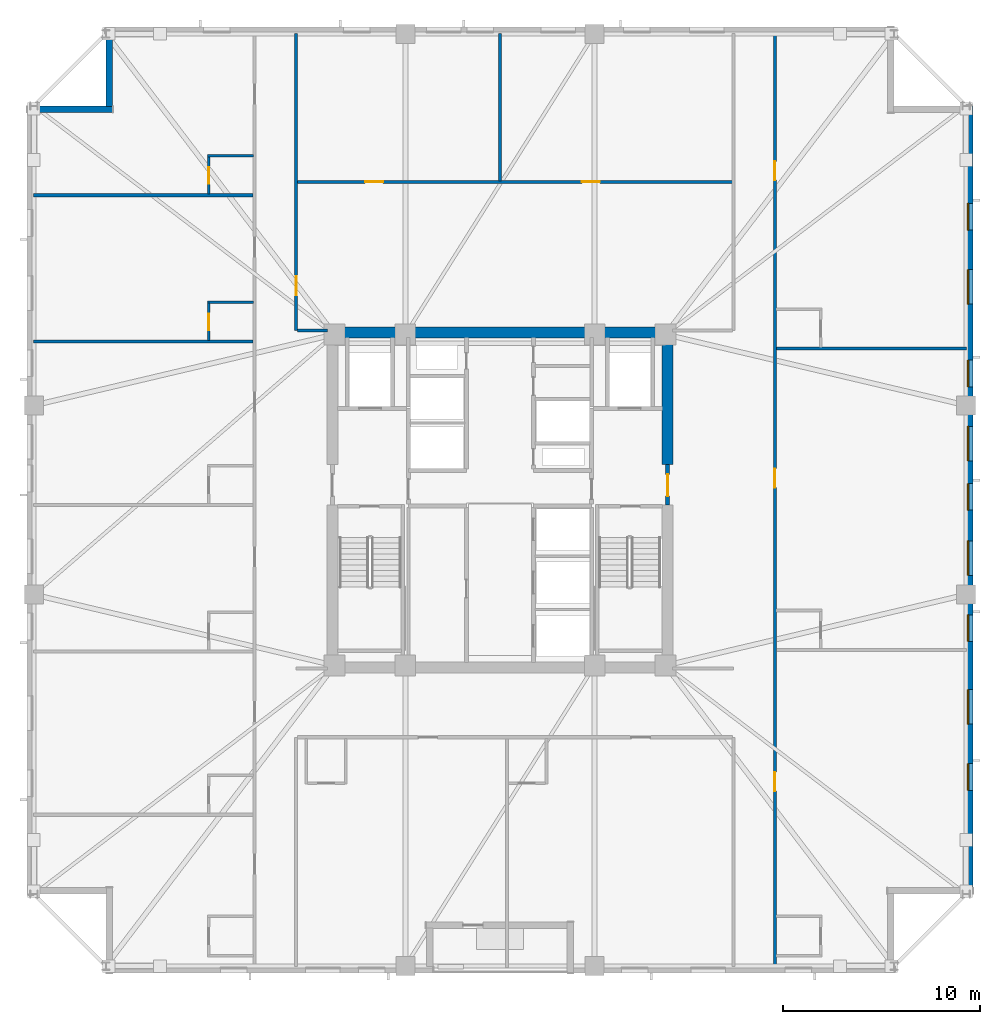
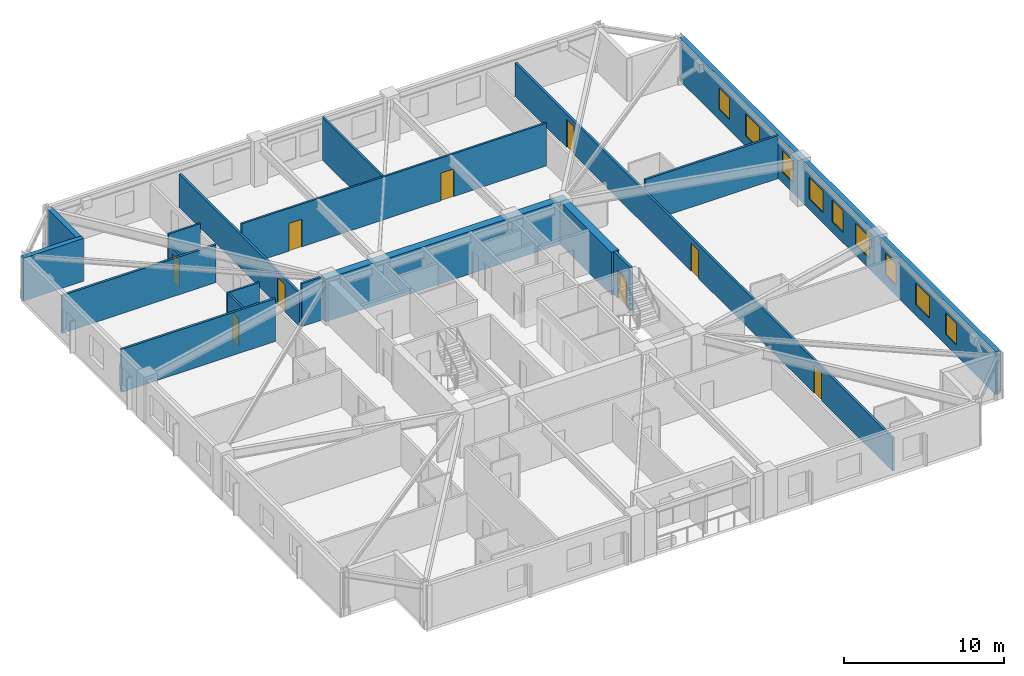
# One storey, part 5 of 11: 18 walls, 9 doors, 9 windows, 18 openings.
"""IFC4 building model written with IfcOpenShell, lengths in metres."""

from ifc_helpers import new_model, si_unit, direction, frame, frame_2d, origin, place, context, subcontext, project, spatial, rectangle, extrude, material, layer, layer_set, type_object, element, fill, save


model = new_model("IFC4")

# Units and contexts
model_context = context("Model", 3, precision=1e-05, world=origin(), true_north=direction((0.0, 1.0)))
body_context = subcontext(model_context, "Body", "Model", "MODEL_VIEW")
ifc_project = project(units=[si_unit("LENGTHUNIT", "METRE"), si_unit("AREAUNIT", "SQUARE_METRE"), si_unit("VOLUMEUNIT", "CUBIC_METRE"), si_unit("PLANEANGLEUNIT", "RADIAN"), si_unit("MASSUNIT", "GRAM", prefix="KILO")], contexts=[model_context])

# Site, building, storey
site_placement = place(None, origin())
site = spatial("IfcSite", under=ifc_project, at=site_placement, CompositionType="ELEMENT")
building_placement = place(site_placement, origin())
building = spatial("IfcBuilding", under=site, at=building_placement, Name="Cairnveth Concourse Tower", CompositionType="ELEMENT")
storey_placement = place(building_placement, frame((0.0, 0.0, 155.0)))
storey = spatial("IfcBuildingStorey", under=building, at=storey_placement, Name="L42", CompositionType="ELEMENT", Elevation=155.0)

# Wall, opening, door
ifc_material_1 = material(Name="Gypsum Plasterboard Partition", Category="gypsum")
ifc_layer_1 = layer(ifc_material_1, 0.159912109375)
ifc_layer_set_1 = layer_set([ifc_layer_1], Name="Gypsum Plasterboard Partition")
wall_type_1 = type_object("IfcWallType", Name="ACOUSTIC PARTY WALL 180", PredefinedType="PARTITIONING", material=ifc_layer_set_1)
wall_1_placement = place(storey_placement, frame((41.64990234375, 47.60009765625, 0.0), z_axis=(0.0, 0.0, 1.0), x_axis=(0.0, 1.0, 0.0)))
wall_1 = element("IfcWall", 1, at=wall_1_placement, inside=storey, type_object=wall_type_1, Name="Interior Wall IW-L42-038", PredefinedType="PARTITIONING", context=body_context, shape_type="SweptSolid", body=[
    extrude(rectangle(XDim=15.074951171875, YDim=0.159912109375, at=frame_2d((7.53759765625, 0.0))), origin(), (0.0, 0.0, 1.0), 2.554931640625),
])
opening_1_placement = place(wall_1_placement, frame((1.800048828125, 0.0, 0.0)))
opening_1 = element("IfcOpeningElement", 2, at=opening_1_placement, cuts=wall_1, Name="Opening ID11", PredefinedType="OPENING", context=body_context, shape_type="SweptSolid", body=[
    extrude(rectangle(XDim=0.9599609375, YDim=2.1201171875, at=frame_2d((0.47998046875, 1.06005859375))), frame((0.0, 0.08984375, 0.0), z_axis=(0.0, -1.0, 0.0), x_axis=(1.0, 0.0, 0.0)), (0.0, 0.0, 1.0), 0.179931640625),
])
ifc_material_2 = material(Name="Solid Core Hardwood Timber Leaf", Category="wood")
door_type_1 = type_object("IfcDoorType", Name="INTERIOR SINGLE DOOR 960X2150", OperationType="NOTDEFINED", PredefinedType="DOOR", material=ifc_material_2)
door_1_placement = place(opening_1_placement, origin())
door_1 = element("IfcDoor", 3, at=door_1_placement, inside=storey, type_object=door_type_1, Name="Interior Door DR-L42-015", OperationType="SINGLE_SWING_LEFT", OverallHeight=2.1201171875, OverallWidth=0.9599609375, PredefinedType="DOOR", context=body_context, shape_type="SweptSolid", body=[
    extrude(rectangle(XDim=0.9599609375, YDim=2.1201171875, at=frame_2d((0.47998046875, 1.06005859375))), frame((0.0, 0.02490234375, 0.0), z_axis=(0.0, -1.0, 0.0), x_axis=(1.0, 0.0, 0.0)), (0.0, 0.0, 1.0), 0.050048828125),
])
fill(opening_1, door_1)

# Wall
wall_2_placement = place(storey_placement, frame((41.715087890625, 47.60009765625, 0.0), z_axis=(0.0, 0.0, 1.0), x_axis=(1.0, 0.0, 0.0)))
element("IfcWall", 4, at=wall_2_placement, inside=storey, type_object=wall_type_1, Name="Interior Wall IW-L42-040", PredefinedType="PARTITIONING", context=body_context, shape_type="SweptSolid", body=[
    extrude(rectangle(XDim=1.52001953125, YDim=0.159912109375, at=frame_2d((0.760009765625, 0.0))), origin(), (0.0, 0.0, 1.0), 3.280029296875),
])

# Wall, openings, doors
wall_3_placement = place(storey_placement, frame((65.949951171875, 15.324951171875, 0.0), z_axis=(0.0, 0.0, 1.0), x_axis=(0.0, 1.0, 0.0)))
wall_3 = element("IfcWall", 5, at=wall_3_placement, inside=storey, type_object=wall_type_1, Name="Interior Wall IW-L42-041", PredefinedType="PARTITIONING", context=body_context, shape_type="SweptSolid", body=[
    extrude(rectangle(XDim=47.35009765625, YDim=0.159912109375, at=frame_2d((23.675048828125, 0.0))), origin(), (0.0, 0.0, 1.0), 2.554931640625),
])
opening_2_placement = place(wall_3_placement, frame((8.901611328125, 0.0, 0.0)))
opening_2 = element("IfcOpeningElement", 6, at=opening_2_placement, cuts=wall_3, Name="Opening ID09", PredefinedType="OPENING", context=body_context, shape_type="SweptSolid", body=[
    extrude(rectangle(XDim=0.9599609375, YDim=2.14990234375, at=frame_2d((0.47998046875, 1.074951171875))), frame((0.0, 0.08984375, 0.0), z_axis=(0.0, -1.0, 0.0), x_axis=(1.0, 0.0, 0.0)), (0.0, 0.0, 1.0), 0.179931640625),
])
opening_3_placement = place(wall_3_placement, frame((24.30908203125, 0.0, 0.0)))
opening_3 = element("IfcOpeningElement", 7, at=opening_3_placement, cuts=wall_3, Name="Opening ID09", PredefinedType="OPENING", context=body_context, shape_type="SweptSolid", body=[
    extrude(rectangle(XDim=0.9599609375, YDim=2.14990234375, at=frame_2d((0.47998046875, 1.074951171875))), frame((0.0, 0.08984375, 0.0), z_axis=(0.0, -1.0, 0.0), x_axis=(1.0, 0.0, 0.0)), (0.0, 0.0, 1.0), 0.179931640625),
])
opening_4_placement = place(wall_3_placement, frame((39.90234375, 0.0, 0.0)))
opening_4 = element("IfcOpeningElement", 8, at=opening_4_placement, cuts=wall_3, Name="Opening ID09", PredefinedType="OPENING", context=body_context, shape_type="SweptSolid", body=[
    extrude(rectangle(XDim=0.9599609375, YDim=2.14990234375, at=frame_2d((0.47998046875, 1.074951171875))), frame((0.0, 0.08984375, 0.0), z_axis=(0.0, -1.0, 0.0), x_axis=(1.0, 0.0, 0.0)), (0.0, 0.0, 1.0), 0.179931640625),
])
door_type_2 = type_object("IfcDoorType", Name="HOTEL ENTRANCE DOOR 960X2150", OperationType="NOTDEFINED", PredefinedType="DOOR", material=ifc_material_2)
door_2_placement = place(opening_2_placement, origin())
door_2 = element("IfcDoor", 9, at=door_2_placement, inside=storey, type_object=door_type_2, Name="Hotel Room Door L42-E1", OperationType="SINGLE_SWING_LEFT", OverallHeight=2.14990234375, OverallWidth=0.9599609375, PredefinedType="DOOR", context=body_context, shape_type="SweptSolid", body=[
    extrude(rectangle(XDim=0.9599609375, YDim=2.14990234375, at=frame_2d((0.47998046875, 1.074951171875))), frame((0.0, 0.02490234375, 0.0), z_axis=(0.0, -1.0, 0.0), x_axis=(1.0, 0.0, 0.0)), (0.0, 0.0, 1.0), 0.050048828125),
])
fill(opening_2, door_2)
door_3_placement = place(opening_3_placement, origin())
door_3 = element("IfcDoor", 10, at=door_3_placement, inside=storey, type_object=door_type_2, Name="Hotel Room Door L42-E2", OperationType="SINGLE_SWING_LEFT", OverallHeight=2.14990234375, OverallWidth=0.9599609375, PredefinedType="DOOR", context=body_context, shape_type="SweptSolid", body=[
    extrude(rectangle(XDim=0.9599609375, YDim=2.14990234375, at=frame_2d((0.47998046875, 1.074951171875))), frame((0.0, 0.02490234375, 0.0), z_axis=(0.0, -1.0, 0.0), x_axis=(1.0, 0.0, 0.0)), (0.0, 0.0, 1.0), 0.050048828125),
])
fill(opening_3, door_3)
door_4_placement = place(opening_4_placement, origin())
door_4 = element("IfcDoor", 11, at=door_4_placement, inside=storey, type_object=door_type_2, Name="Hotel Room Door L42-E3", OperationType="SINGLE_SWING_LEFT", OverallHeight=2.14990234375, OverallWidth=0.9599609375, PredefinedType="DOOR", context=body_context, shape_type="SweptSolid", body=[
    extrude(rectangle(XDim=0.9599609375, YDim=2.14990234375, at=frame_2d((0.47998046875, 1.074951171875))), frame((0.0, 0.02490234375, 0.0), z_axis=(0.0, -1.0, 0.0), x_axis=(1.0, 0.0, 0.0)), (0.0, 0.0, 1.0), 0.050048828125),
])
fill(opening_4, door_4)

# Walls
wall_4_placement = place(storey_placement, frame((28.324951171875, 47.035400390625, 0.0), z_axis=(0.0, 0.0, 1.0), x_axis=(1.0, 0.0, 0.0)))
element("IfcWall", 12, at=wall_4_placement, inside=storey, type_object=wall_type_1, Name="Interior Wall IW-L42-067", PredefinedType="PARTITIONING", context=body_context, shape_type="SweptSolid", body=[
    extrude(rectangle(XDim=11.14501953125, YDim=0.159912109375, at=frame_2d((5.572509765625, 0.0))), origin(), (0.0, 0.0, 1.0), 3.280029296875),
])
wall_5_placement = place(storey_placement, frame((28.324951171875, 54.466552734375, 0.0), z_axis=(0.0, 0.0, 1.0), x_axis=(1.0, 0.0, 0.0)))
element("IfcWall", 13, at=wall_5_placement, inside=storey, type_object=wall_type_1, Name="Interior Wall IW-L42-070", PredefinedType="PARTITIONING", context=body_context, shape_type="SweptSolid", body=[
    extrude(rectangle(XDim=11.14501953125, YDim=0.159912109375, at=frame_2d((5.572509765625, 0.0))), origin(), (0.0, 0.0, 1.0), 2.89599609375),
])
wall_6_placement = place(storey_placement, frame((66.030029296875, 46.6845703125, 0.0), z_axis=(0.0, 0.0, 1.0), x_axis=(1.0, 0.0, 0.0)))
element("IfcWall", 14, at=wall_6_placement, inside=storey, type_object=wall_type_1, Name="Interior Wall IW-L42-079", PredefinedType="PARTITIONING", context=body_context, shape_type="SweptSolid", body=[
    extrude(rectangle(XDim=9.64501953125, YDim=0.159912109375, at=frame_2d((4.822509765625, 0.0))), origin(), (0.0, 0.0, 1.0), 3.280029296875),
])
ifc_material_3 = material(Name="Concrete N80 (80 MPa)", Category="concrete")
ifc_layer_2 = layer(ifc_material_3, 0.550048828125)
ifc_layer_set_2 = layer_set([ifc_layer_2], Name="Concrete N80 (80 MPa)")
wall_type_2 = type_object("IfcWallType", Name="CORE SHEAR WALL 550", PredefinedType="SHEAR", material=ifc_layer_set_2)
wall_7_placement = place(storey_placement, frame((43.22509765625, 47.5, 0.0), z_axis=(0.0, 0.0, 1.0), x_axis=(1.0, 0.0, 0.0)))
element("IfcWall", 15, at=wall_7_placement, inside=storey, type_object=wall_type_2, Name="Core North Shear Wall L42", PredefinedType="SHEAR", context=body_context, shape_type="SweptSolid", body=[
    extrude(rectangle(XDim=17.5498046875, YDim=0.550048828125, at=frame_2d((8.77490234375, 0.0))), origin(), (0.0, 0.0, 1.0), 3.280029296875),
])
wall_8_placement = place(storey_placement, frame((60.5, 40.800048828125, 0.0), z_axis=(0.0, 0.0, 1.0), x_axis=(0.0, 1.0, 0.0)))
element("IfcWall", 16, at=wall_8_placement, inside=storey, type_object=wall_type_2, Name="Core East Shear Wall N L42", PredefinedType="SHEAR", context=body_context, shape_type="SweptSolid", body=[
    extrude(rectangle(XDim=6.43505859375, YDim=0.550048828125, at=frame_2d((3.217529296875, 0.0))), origin(), (0.0, 0.0, 1.0), 3.280029296875),
])

# Wall, opening, door
ifc_material_4 = material(Name="Concrete N50 (50 MPa)", Category="concrete")
ifc_layer_3 = layer(ifc_material_4, 0.199951171875)
ifc_layer_set_3 = layer_set([ifc_layer_3], Name="Concrete N50 (50 MPa)")
wall_type_3 = type_object("IfcWallType", Name="FIRE SHAFT WALL 200", PredefinedType="SOLIDWALL", material=ifc_layer_set_3)
wall_9_placement = place(storey_placement, frame((60.5, 38.75, 0.0), z_axis=(0.0, 0.0, 1.0), x_axis=(0.0, 1.0, 0.0)))
wall_9 = element("IfcWall", 17, at=wall_9_placement, inside=storey, type_object=wall_type_3, Name="Interior Wall IW-L42-020", PredefinedType="SOLIDWALL", context=body_context, shape_type="SweptSolid", body=[
    extrude(rectangle(XDim=2.050048828125, YDim=0.199951171875, at=frame_2d((1.02490234375, 0.0))), origin(), (0.0, 0.0, 1.0), 3.280029296875),
])
opening_5_placement = place(wall_9_placement, frame((0.449951171875, 0.0, 0.0)))
opening_5 = element("IfcOpeningElement", 18, at=opening_5_placement, cuts=wall_9, Name="Opening ID06", PredefinedType="OPENING", context=body_context, shape_type="SweptSolid", body=[
    extrude(rectangle(XDim=1.10009765625, YDim=2.14990234375, at=frame_2d((0.550048828125, 1.074951171875))), frame((0.0, 0.10986328125, 0.0), z_axis=(0.0, -1.0, 0.0), x_axis=(1.0, 0.0, 0.0)), (0.0, 0.0, 1.0), 0.219970703125),
])
ifc_material_5 = material(Name="Steel Grade 350", Category="steel")
door_type_3 = type_object("IfcDoorType", Name="FIRE CORRIDOR DOOR 1100X2150", OperationType="NOTDEFINED", PredefinedType="DOOR", material=ifc_material_5)
door_5_placement = place(opening_5_placement, origin())
door_5 = element("IfcDoor", 19, at=door_5_placement, inside=storey, type_object=door_type_3, Name="East Wing to FF Lobby Door L42", OperationType="SINGLE_SWING_RIGHT", OverallHeight=2.14990234375, OverallWidth=1.10009765625, PredefinedType="DOOR", context=body_context, shape_type="SweptSolid", body=[
    extrude(rectangle(XDim=1.10009765625, YDim=2.14990234375, at=frame_2d((0.550048828125, 1.074951171875))), frame((0.0, 0.02490234375, 0.0), z_axis=(0.0, -1.0, 0.0), x_axis=(1.0, 0.0, 0.0)), (0.0, 0.0, 1.0), 0.050048828125),
])
fill(opening_5, door_5)

# Wall, openings, doors
ifc_layer_4 = layer(ifc_material_1, 0.139892578125)
ifc_layer_set_4 = layer_set([ifc_layer_4], Name="Gypsum Plasterboard Partition")
wall_type_4 = type_object("IfcWallType", Name="GYPSUM STUD PARTITION 140", PredefinedType="PARTITIONING", material=ifc_layer_set_4)
wall_10_placement = place(storey_placement, frame((41.715087890625, 55.139892578125, 0.0), z_axis=(0.0, 0.0, 1.0), x_axis=(1.0, 0.0, 0.0)))
wall_10 = element("IfcWall", 20, at=wall_10_placement, inside=storey, type_object=wall_type_4, Name="Interior Wall IW-L42-047", PredefinedType="PARTITIONING", context=body_context, shape_type="SweptSolid", body=[
    extrude(rectangle(XDim=22.06982421875, YDim=0.139892578125, at=frame_2d((11.034912109375, 0.0))), origin(), (0.0, 0.0, 1.0), 3.280029296875),
])
opening_6_placement = place(wall_10_placement, frame((3.43505859375, 0.0, 0.0)))
opening_6 = element("IfcOpeningElement", 21, at=opening_6_placement, cuts=wall_10, Name="Opening ID15", PredefinedType="OPENING", context=body_context, shape_type="SweptSolid", body=[
    extrude(rectangle(XDim=0.919921875, YDim=2.1201171875, at=frame_2d((0.4599609375, 1.06005859375))), frame((0.0, 0.079833984375, 0.0), z_axis=(0.0, -1.0, 0.0), x_axis=(1.0, 0.0, 0.0)), (0.0, 0.0, 1.0), 0.159912109375),
])
opening_7_placement = place(wall_10_placement, frame((14.43505859375, 0.0, 0.0)))
opening_7 = element("IfcOpeningElement", 22, at=opening_7_placement, cuts=wall_10, Name="Opening ID15", PredefinedType="OPENING", context=body_context, shape_type="SweptSolid", body=[
    extrude(rectangle(XDim=0.919921875, YDim=2.1201171875, at=frame_2d((0.4599609375, 1.06005859375))), frame((0.0, 0.079833984375, 0.0), z_axis=(0.0, -1.0, 0.0), x_axis=(1.0, 0.0, 0.0)), (0.0, 0.0, 1.0), 0.159912109375),
])
door_type_4 = type_object("IfcDoorType", Name="INTERIOR SINGLE DOOR 920X2100", OperationType="NOTDEFINED", PredefinedType="DOOR", material=ifc_material_2)
door_6_placement = place(opening_6_placement, origin())
door_6 = element("IfcDoor", 23, at=door_6_placement, inside=storey, type_object=door_type_4, Name="Interior Door DR-L42-016", OperationType="SINGLE_SWING_RIGHT", OverallHeight=2.1201171875, OverallWidth=0.919921875, PredefinedType="DOOR", context=body_context, shape_type="SweptSolid", body=[
    extrude(rectangle(XDim=0.919921875, YDim=2.1201171875, at=frame_2d((0.4599609375, 1.06005859375))), frame((0.0, 0.02490234375, 0.0), z_axis=(0.0, -1.0, 0.0), x_axis=(1.0, 0.0, 0.0)), (0.0, 0.0, 1.0), 0.050048828125),
])
fill(opening_6, door_6)
door_7_placement = place(opening_7_placement, origin())
door_7 = element("IfcDoor", 24, at=door_7_placement, inside=storey, type_object=door_type_4, Name="Interior Door DR-L42-017", OperationType="SINGLE_SWING_LEFT", OverallHeight=2.1201171875, OverallWidth=0.919921875, PredefinedType="DOOR", context=body_context, shape_type="SweptSolid", body=[
    extrude(rectangle(XDim=0.919921875, YDim=2.1201171875, at=frame_2d((0.4599609375, 1.06005859375))), frame((0.0, 0.02490234375, 0.0), z_axis=(0.0, -1.0, 0.0), x_axis=(1.0, 0.0, 0.0)), (0.0, 0.0, 1.0), 0.050048828125),
])
fill(opening_7, door_7)

# Walls
wall_11_placement = place(storey_placement, frame((52.0, 55.195068359375, 0.0), z_axis=(0.0, 0.0, 1.0), x_axis=(0.0, 1.0, 0.0)))
element("IfcWall", 25, at=wall_11_placement, inside=storey, type_object=wall_type_4, Name="Interior Wall IW-L42-048", PredefinedType="PARTITIONING", context=body_context, shape_type="SweptSolid", body=[
    extrude(rectangle(XDim=7.47998046875, YDim=0.139892578125, at=frame_2d((3.739990234375, 0.0))), origin(), (0.0, 0.0, 1.0), 3.280029296875),
])
ifc_layer_5 = layer(ifc_material_1, 0.1298828125)
ifc_layer_set_5 = layer_set([ifc_layer_5], Name="Gypsum Plasterboard Partition")
wall_type_5 = type_object("IfcWallType", Name="WET AREA PARTITION 140", PredefinedType="PLUMBINGWALL", material=ifc_layer_set_5)
wall_12_placement = place(storey_placement, frame((37.169921875, 49.035400390625, 0.0), z_axis=(0.0, 0.0, 1.0), x_axis=(1.0, 0.0, 0.0)))
element("IfcWall", 26, at=wall_12_placement, inside=storey, type_object=wall_type_5, Name="Interior Wall IW-L42-068", PredefinedType="PLUMBINGWALL", context=body_context, shape_type="SweptSolid", body=[
    extrude(rectangle(XDim=2.315185546875, YDim=0.1298828125, at=frame_2d((1.15771484375, 0.0))), origin(), (0.0, 0.0, 1.0), 3.280029296875),
])

# Wall, opening, door
wall_13_placement = place(storey_placement, frame((37.219970703125, 47.1005859375, 0.0), z_axis=(0.0, 0.0, 1.0), x_axis=(0.0, 1.0, 0.0)))
wall_13 = element("IfcWall", 27, at=wall_13_placement, inside=storey, type_object=wall_type_5, Name="Interior Wall IW-L42-069", PredefinedType="PLUMBINGWALL", context=body_context, shape_type="SweptSolid", body=[
    extrude(rectangle(XDim=1.885009765625, YDim=0.1298828125, at=frame_2d((0.9423828125, 0.0))), origin(), (0.0, 0.0, 1.0), 3.280029296875),
])
opening_8_placement = place(wall_13_placement, frame((0.52490234375, 0.0, 0.0)))
opening_8 = element("IfcOpeningElement", 28, at=opening_8_placement, cuts=wall_13, Name="Opening ID22", PredefinedType="OPENING", context=body_context, shape_type="SweptSolid", body=[
    extrude(rectangle(XDim=0.820068359375, YDim=2.10009765625, at=frame_2d((0.41015625, 1.050048828125))), frame((0.0, 0.074951171875, 0.0), z_axis=(0.0, -1.0, 0.0), x_axis=(1.0, 0.0, 0.0)), (0.0, 0.0, 1.0), 0.14990234375),
])
door_type_5 = type_object("IfcDoorType", Name="INTERIOR WC DOOR 820X2100", OperationType="NOTDEFINED", PredefinedType="DOOR", material=ifc_material_2)
door_8_placement = place(opening_8_placement, origin())
door_8 = element("IfcDoor", 29, at=door_8_placement, inside=storey, type_object=door_type_5, Name="En-Suite Door L42-W5", OperationType="SINGLE_SWING_RIGHT", OverallHeight=2.10009765625, OverallWidth=0.820068359375, PredefinedType="DOOR", context=body_context, shape_type="SweptSolid", body=[
    extrude(rectangle(XDim=0.820068359375, YDim=2.10009765625, at=frame_2d((0.41015625, 1.050048828125))), frame((0.0, 0.02490234375, 0.0), z_axis=(0.0, -1.0, 0.0), x_axis=(1.0, 0.0, 0.0)), (0.0, 0.0, 1.0), 0.050048828125),
])
fill(opening_8, door_8)

# Wall
wall_14_placement = place(storey_placement, frame((37.169921875, 56.466552734375, 0.0), z_axis=(0.0, 0.0, 1.0), x_axis=(1.0, 0.0, 0.0)))
element("IfcWall", 30, at=wall_14_placement, inside=storey, type_object=wall_type_5, Name="Interior Wall IW-L42-071", PredefinedType="PLUMBINGWALL", context=body_context, shape_type="SweptSolid", body=[
    extrude(rectangle(XDim=2.315185546875, YDim=0.1298828125, at=frame_2d((1.15771484375, 0.0))), origin(), (0.0, 0.0, 1.0), 3.280029296875),
])

# Wall, opening, door
wall_15_placement = place(storey_placement, frame((37.219970703125, 54.531494140625, 0.0), z_axis=(0.0, 0.0, 1.0), x_axis=(0.0, 1.0, 0.0)))
wall_15 = element("IfcWall", 31, at=wall_15_placement, inside=storey, type_object=wall_type_5, Name="Interior Wall IW-L42-072", PredefinedType="PLUMBINGWALL", context=body_context, shape_type="SweptSolid", body=[
    extrude(rectangle(XDim=1.885009765625, YDim=0.1298828125, at=frame_2d((0.9423828125, 0.0))), origin(), (0.0, 0.0, 1.0), 2.554931640625),
])
opening_9_placement = place(wall_15_placement, frame((0.52490234375, 0.0, 0.0)))
opening_9 = element("IfcOpeningElement", 32, at=opening_9_placement, cuts=wall_15, Name="Opening ID22", PredefinedType="OPENING", context=body_context, shape_type="SweptSolid", body=[
    extrude(rectangle(XDim=0.820068359375, YDim=2.10009765625, at=frame_2d((0.41015625, 1.050048828125))), frame((0.0, 0.074951171875, 0.0), z_axis=(0.0, -1.0, 0.0), x_axis=(1.0, 0.0, 0.0)), (0.0, 0.0, 1.0), 0.14990234375),
])
door_9_placement = place(opening_9_placement, origin())
door_9 = element("IfcDoor", 33, at=door_9_placement, inside=storey, type_object=door_type_5, Name="En-Suite Door L42-W6", OperationType="SINGLE_SWING_RIGHT", OverallHeight=2.10009765625, OverallWidth=0.820068359375, PredefinedType="DOOR", context=body_context, shape_type="SweptSolid", body=[
    extrude(rectangle(XDim=0.820068359375, YDim=2.10009765625, at=frame_2d((0.41015625, 1.050048828125))), frame((0.0, 0.02490234375, 0.0), z_axis=(0.0, -1.0, 0.0), x_axis=(1.0, 0.0, 0.0)), (0.0, 0.0, 1.0), 0.050048828125),
])
fill(opening_9, door_9)

# Walls
ifc_material_6 = material(Name="Hawthorn Red-Ochre Fired Clay Brick Masonry", Category="masonry")
ifc_layer_6 = layer(ifc_material_6, 0.340087890625)
ifc_layer_set_6 = layer_set([ifc_layer_6], Name="Hawthorn Red-Ochre Fired Clay Brick Masonry")
wall_type_6 = type_object("IfcWallType", Name="ZONE 2 BRICK PIER SPANDREL WALL 340", PredefinedType="SOLIDWALL", material=ifc_layer_set_6)
wall_16_placement = place(storey_placement, frame((28.0, 58.830078125, 0.0), z_axis=(0.0, 0.0, 1.0), x_axis=(1.0, 0.0, 0.0)))
element("IfcWall", 34, at=wall_16_placement, inside=storey, type_object=wall_type_6, Name="Exterior Wall EW-L42-S04", PredefinedType="SOLIDWALL", context=body_context, shape_type="SweptSolid", body=[
    extrude(rectangle(XDim=4.340087890625, YDim=0.340087890625, at=frame_2d((2.169921875, 0.0))), origin(), (0.0, 0.0, 1.0), 3.280029296875),
])
wall_17_placement = place(storey_placement, frame((32.169921875, 58.97802734375, 0.0), z_axis=(0.0, 0.0, 1.0), x_axis=(0.0, 1.0, 0.0)))
element("IfcWall", 35, at=wall_17_placement, inside=storey, type_object=wall_type_6, Name="Exterior Wall EW-L42-S05", PredefinedType="SOLIDWALL", context=body_context, shape_type="SweptSolid", body=[
    extrude(rectangle(XDim=3.703857421875, YDim=0.340087890625, at=frame_2d((1.85205078125, 0.0))), origin(), (0.0, 0.0, 1.0), 3.280029296875),
])

# Wall, openings, windows
wall_18_placement = place(storey_placement, frame((75.830078125, 59.0, 0.0), z_axis=(0.0, 0.0, 1.0), x_axis=(0.0, -1.0, 0.0)))
wall_18 = element("IfcWall", 36, at=wall_18_placement, inside=storey, type_object=wall_type_6, Name="Exterior Wall EW-L42-S09", PredefinedType="SOLIDWALL", context=body_context, shape_type="SweptSolid", body=[
    extrude(rectangle(XDim=39.681884765625, YDim=0.340087890625, at=frame_2d((19.8408203125, 0.0))), origin(), (0.0, 0.0, 1.0), 3.280029296875),
])
opening_10_placement = place(wall_18_placement, frame((4.951904296875, 0.0, 0.800048828125)))
opening_10 = element("IfcOpeningElement", 37, at=opening_10_placement, cuts=wall_18, Name="Opening W02", PredefinedType="OPENING", context=body_context, shape_type="SweptSolid", body=[
    extrude(rectangle(XDim=1.35009765625, YDim=1.659912109375, at=frame_2d((0.675048828125, 0.830078125))), frame((0.0, 0.179931640625, 0.0), z_axis=(0.0, -1.0, 0.0), x_axis=(1.0, 0.0, 0.0)), (0.0, 0.0, 1.0), 0.360107421875),
])
opening_11_placement = place(wall_18_placement, frame((8.305419921875, 0.0, 0.800048828125)))
opening_11 = element("IfcOpeningElement", 38, at=opening_11_placement, cuts=wall_18, Name="Opening W06", PredefinedType="OPENING", context=body_context, shape_type="SweptSolid", body=[
    extrude(rectangle(XDim=1.75, YDim=1.659912109375, at=frame_2d((0.875, 0.830078125))), frame((0.0, 0.179931640625, 0.0), z_axis=(0.0, -1.0, 0.0), x_axis=(1.0, 0.0, 0.0)), (0.0, 0.0, 1.0), 0.360107421875),
])
opening_12_placement = place(wall_18_placement, frame((12.908935546875, 0.0, 0.800048828125)))
opening_12 = element("IfcOpeningElement", 39, at=opening_12_placement, cuts=wall_18, Name="Opening W02", PredefinedType="OPENING", context=body_context, shape_type="SweptSolid", body=[
    extrude(rectangle(XDim=1.35009765625, YDim=1.659912109375, at=frame_2d((0.675048828125, 0.830078125))), frame((0.0, 0.179931640625, 0.0), z_axis=(0.0, -1.0, 0.0), x_axis=(1.0, 0.0, 0.0)), (0.0, 0.0, 1.0), 0.360107421875),
])
opening_13_placement = place(wall_18_placement, frame((16.262451171875, 0.0, 0.800048828125)))
opening_13 = element("IfcOpeningElement", 40, at=opening_13_placement, cuts=wall_18, Name="Opening W06", PredefinedType="OPENING", context=body_context, shape_type="SweptSolid", body=[
    extrude(rectangle(XDim=1.75, YDim=1.659912109375, at=frame_2d((0.875, 0.830078125))), frame((0.0, 0.179931640625, 0.0), z_axis=(0.0, -1.0, 0.0), x_axis=(1.0, 0.0, 0.0)), (0.0, 0.0, 1.0), 0.360107421875),
])
opening_14_placement = place(wall_18_placement, frame((19.166015625, 0.0, 0.800048828125)))
opening_14 = element("IfcOpeningElement", 41, at=opening_14_placement, cuts=wall_18, Name="Opening W02", PredefinedType="OPENING", context=body_context, shape_type="SweptSolid", body=[
    extrude(rectangle(XDim=1.35009765625, YDim=1.659912109375, at=frame_2d((0.675048828125, 0.830078125))), frame((0.0, 0.179931640625, 0.0), z_axis=(0.0, -1.0, 0.0), x_axis=(1.0, 0.0, 0.0)), (0.0, 0.0, 1.0), 0.360107421875),
])
opening_15_placement = place(wall_18_placement, frame((22.069580078125, 0.0, 0.800048828125)))
opening_15 = element("IfcOpeningElement", 42, at=opening_15_placement, cuts=wall_18, Name="Opening W06", PredefinedType="OPENING", context=body_context, shape_type="SweptSolid", body=[
    extrude(rectangle(XDim=1.75, YDim=1.659912109375, at=frame_2d((0.875, 0.830078125))), frame((0.0, 0.179931640625, 0.0), z_axis=(0.0, -1.0, 0.0), x_axis=(1.0, 0.0, 0.0)), (0.0, 0.0, 1.0), 0.360107421875),
])
opening_16_placement = place(wall_18_placement, frame((25.822998046875, 0.0, 0.800048828125)))
opening_16 = element("IfcOpeningElement", 43, at=opening_16_placement, cuts=wall_18, Name="Opening W02", PredefinedType="OPENING", context=body_context, shape_type="SweptSolid", body=[
    extrude(rectangle(XDim=1.35009765625, YDim=1.659912109375, at=frame_2d((0.675048828125, 0.830078125))), frame((0.0, 0.179931640625, 0.0), z_axis=(0.0, -1.0, 0.0), x_axis=(1.0, 0.0, 0.0)), (0.0, 0.0, 1.0), 0.360107421875),
])
opening_17_placement = place(wall_18_placement, frame((29.626708984375, 0.0, 0.800048828125)))
opening_17 = element("IfcOpeningElement", 44, at=opening_17_placement, cuts=wall_18, Name="Opening W06", PredefinedType="OPENING", context=body_context, shape_type="SweptSolid", body=[
    extrude(rectangle(XDim=1.75, YDim=1.659912109375, at=frame_2d((0.875, 0.830078125))), frame((0.0, 0.179931640625, 0.0), z_axis=(0.0, -1.0, 0.0), x_axis=(1.0, 0.0, 0.0)), (0.0, 0.0, 1.0), 0.360107421875),
])
opening_18_placement = place(wall_18_placement, frame((33.380126953125, 0.0, 0.800048828125)))
opening_18 = element("IfcOpeningElement", 45, at=opening_18_placement, cuts=wall_18, Name="Opening W02", PredefinedType="OPENING", context=body_context, shape_type="SweptSolid", body=[
    extrude(rectangle(XDim=1.35009765625, YDim=1.659912109375, at=frame_2d((0.675048828125, 0.830078125))), frame((0.0, 0.179931640625, 0.0), z_axis=(0.0, -1.0, 0.0), x_axis=(1.0, 0.0, 0.0)), (0.0, 0.0, 1.0), 0.360107421875),
])
ifc_material_7 = material(Name="Double Glazed Low-E Clear Glass", Category="glass")
window_type_1 = type_object("IfcWindowType", Name="DEEP-SET GOTHIC LANCET WINDOW 1350X1800", PartitioningType="DOUBLE_PANEL_VERTICAL", PredefinedType="WINDOW", material=ifc_material_7)
window_1_placement = place(opening_10_placement, origin())
window_1 = element("IfcWindow", 46, at=window_1_placement, inside=storey, type_object=window_type_1, Name="Gothic Lancet Window L42-9-1", OverallHeight=1.659912109375, OverallWidth=1.35009765625, PartitioningType="SINGLE_PANEL", PredefinedType="WINDOW", context=body_context, shape_type="SweptSolid", body=[
    extrude(rectangle(XDim=1.35009765625, YDim=1.659912109375, at=frame_2d((0.675048828125, 0.830078125))), frame((0.0, -0.050048828125, 0.0), z_axis=(0.0, -1.0, 0.0), x_axis=(1.0, 0.0, 0.0)), (0.0, 0.0, 1.0), 0.06005859375),
])
fill(opening_10, window_1)
window_2_placement = place(opening_12_placement, origin())
window_2 = element("IfcWindow", 47, at=window_2_placement, inside=storey, type_object=window_type_1, Name="Gothic Lancet Window L42-9-3", OverallHeight=1.659912109375, OverallWidth=1.35009765625, PartitioningType="SINGLE_PANEL", PredefinedType="WINDOW", context=body_context, shape_type="SweptSolid", body=[
    extrude(rectangle(XDim=1.35009765625, YDim=1.659912109375, at=frame_2d((0.675048828125, 0.830078125))), frame((0.0, -0.050048828125, 0.0), z_axis=(0.0, -1.0, 0.0), x_axis=(1.0, 0.0, 0.0)), (0.0, 0.0, 1.0), 0.06005859375),
])
fill(opening_12, window_2)
window_3_placement = place(opening_14_placement, origin())
window_3 = element("IfcWindow", 48, at=window_3_placement, inside=storey, type_object=window_type_1, Name="Gothic Lancet Window L42-9-5", OverallHeight=1.659912109375, OverallWidth=1.35009765625, PartitioningType="SINGLE_PANEL", PredefinedType="WINDOW", context=body_context, shape_type="SweptSolid", body=[
    extrude(rectangle(XDim=1.35009765625, YDim=1.659912109375, at=frame_2d((0.675048828125, 0.830078125))), frame((0.0, -0.050048828125, 0.0), z_axis=(0.0, -1.0, 0.0), x_axis=(1.0, 0.0, 0.0)), (0.0, 0.0, 1.0), 0.06005859375),
])
fill(opening_14, window_3)
window_4_placement = place(opening_16_placement, origin())
window_4 = element("IfcWindow", 49, at=window_4_placement, inside=storey, type_object=window_type_1, Name="Gothic Lancet Window L42-9-7", OverallHeight=1.659912109375, OverallWidth=1.35009765625, PartitioningType="SINGLE_PANEL", PredefinedType="WINDOW", context=body_context, shape_type="SweptSolid", body=[
    extrude(rectangle(XDim=1.35009765625, YDim=1.659912109375, at=frame_2d((0.675048828125, 0.830078125))), frame((0.0, -0.050048828125, 0.0), z_axis=(0.0, -1.0, 0.0), x_axis=(1.0, 0.0, 0.0)), (0.0, 0.0, 1.0), 0.06005859375),
])
fill(opening_16, window_4)
window_5_placement = place(opening_18_placement, origin())
window_5 = element("IfcWindow", 50, at=window_5_placement, inside=storey, type_object=window_type_1, Name="Gothic Lancet Window L42-9-9", OverallHeight=1.659912109375, OverallWidth=1.35009765625, PartitioningType="SINGLE_PANEL", PredefinedType="WINDOW", context=body_context, shape_type="SweptSolid", body=[
    extrude(rectangle(XDim=1.35009765625, YDim=1.659912109375, at=frame_2d((0.675048828125, 0.830078125))), frame((0.0, -0.050048828125, 0.0), z_axis=(0.0, -1.0, 0.0), x_axis=(1.0, 0.0, 0.0)), (0.0, 0.0, 1.0), 0.06005859375),
])
fill(opening_18, window_5)
window_type_2 = type_object("IfcWindowType", Name="DEEP-SET HOTEL SUITE WINDOW 1750X1800", PartitioningType="DOUBLE_PANEL_VERTICAL", PredefinedType="WINDOW", material=ifc_material_7)
window_6_placement = place(opening_11_placement, origin())
window_6 = element("IfcWindow", 51, at=window_6_placement, inside=storey, type_object=window_type_2, Name="Gothic Lancet Window L42-9-2", OverallHeight=1.659912109375, OverallWidth=1.75, PartitioningType="SINGLE_PANEL", PredefinedType="WINDOW", context=body_context, shape_type="SweptSolid", body=[
    extrude(rectangle(XDim=1.75, YDim=1.659912109375, at=frame_2d((0.875, 0.830078125))), frame((0.0, -0.050048828125, 0.0), z_axis=(0.0, -1.0, 0.0), x_axis=(1.0, 0.0, 0.0)), (0.0, 0.0, 1.0), 0.06005859375),
])
fill(opening_11, window_6)
window_7_placement = place(opening_13_placement, origin())
window_7 = element("IfcWindow", 52, at=window_7_placement, inside=storey, type_object=window_type_2, Name="Gothic Lancet Window L42-9-4", OverallHeight=1.659912109375, OverallWidth=1.75, PartitioningType="SINGLE_PANEL", PredefinedType="WINDOW", context=body_context, shape_type="SweptSolid", body=[
    extrude(rectangle(XDim=1.75, YDim=1.659912109375, at=frame_2d((0.875, 0.830078125))), frame((0.0, -0.050048828125, 0.0), z_axis=(0.0, -1.0, 0.0), x_axis=(1.0, 0.0, 0.0)), (0.0, 0.0, 1.0), 0.06005859375),
])
fill(opening_13, window_7)
window_8_placement = place(opening_15_placement, origin())
window_8 = element("IfcWindow", 53, at=window_8_placement, inside=storey, type_object=window_type_2, Name="Gothic Lancet Window L42-9-6", OverallHeight=1.659912109375, OverallWidth=1.75, PartitioningType="SINGLE_PANEL", PredefinedType="WINDOW", context=body_context, shape_type="SweptSolid", body=[
    extrude(rectangle(XDim=1.75, YDim=1.659912109375, at=frame_2d((0.875, 0.830078125))), frame((0.0, -0.050048828125, 0.0), z_axis=(0.0, -1.0, 0.0), x_axis=(1.0, 0.0, 0.0)), (0.0, 0.0, 1.0), 0.06005859375),
])
fill(opening_15, window_8)
window_9_placement = place(opening_17_placement, origin())
window_9 = element("IfcWindow", 54, at=window_9_placement, inside=storey, type_object=window_type_2, Name="Gothic Lancet Window L42-9-8", OverallHeight=1.659912109375, OverallWidth=1.75, PartitioningType="SINGLE_PANEL", PredefinedType="WINDOW", context=body_context, shape_type="SweptSolid", body=[
    extrude(rectangle(XDim=1.75, YDim=1.659912109375, at=frame_2d((0.875, 0.830078125))), frame((0.0, -0.050048828125, 0.0), z_axis=(0.0, -1.0, 0.0), x_axis=(1.0, 0.0, 0.0)), (0.0, 0.0, 1.0), 0.06005859375),
])
fill(opening_17, window_9)

save(model, "model.ifc")
